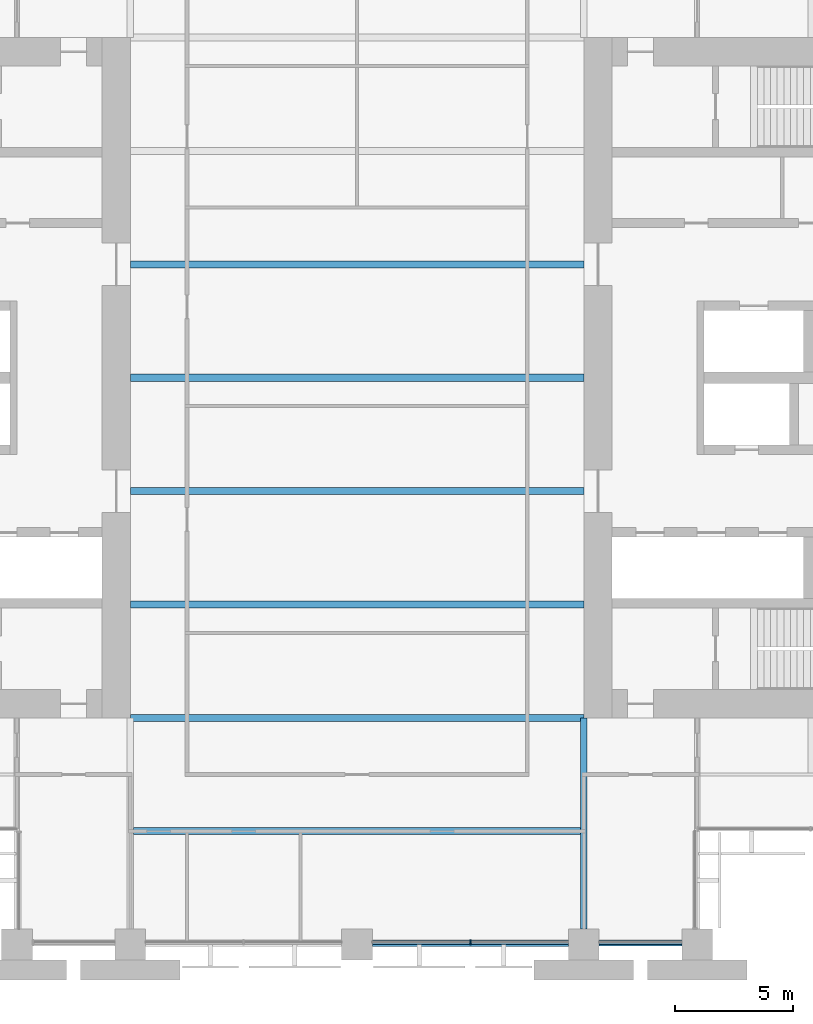
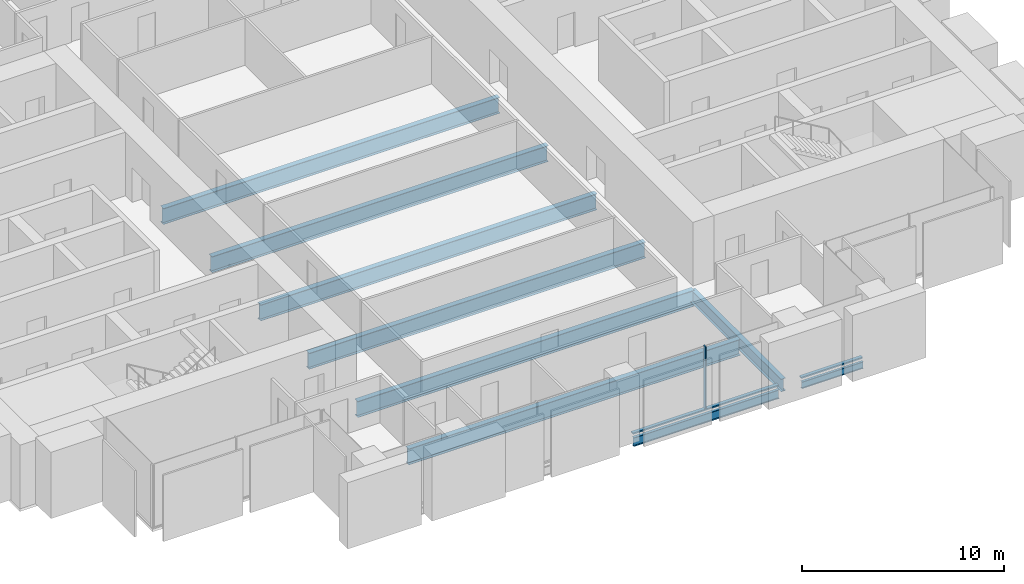
# One storey, part 3 of 14: 9 beams, 3 members, 1 element without a shape of its own.
"""IFC4 building model written with IfcOpenShell, lengths in metres."""

import ifcopenshell
import ifcopenshell.guid

model = None  # the IFC model being written
_history = None  # IfcOwnerHistory: only IFC2X3 demands one
_inside = {}  # id of a spatial element -> (the spatial element, [elements in it])
_under = {}  # id of a project, library or spatial element -> (it, [spatial elements below it])
_declared = {}  # id of a project -> (the project, [libraries it declares])
_typed = {}  # id of a type object -> (the type object, [elements of that type])
_made_of = {}  # id of a material, layer set ... -> (it, [elements and type objects made of it])


def new_model(schema):
    """Start an empty IFC model of exactly this schema.

    Asked for "IFC4X3", IfcOpenShell would pick the latest addendum, in which some entities
    have other attributes; the version numbers below select the first issue.
    IFC2X3 requires an IfcOwnerHistory on every rooted entity: one is made here for all.
    """
    global model, _history
    if schema == "IFC4X3":
        model = ifcopenshell.file(schema_version=(4, 3, 0, 0))
    else:
        model = ifcopenshell.file(schema=schema)
    _inside.clear()
    _under.clear()
    _declared.clear()
    _typed.clear()
    _made_of.clear()
    _history = None
    if model.schema == "IFC2X3":
        org = make("IfcOrganization", Name="unknown")
        user = make(
            "IfcPersonAndOrganization",
            ThePerson=make("IfcPerson", FamilyName="unknown"),
            TheOrganization=org,
        )
        app = make(
            "IfcApplication",
            ApplicationDeveloper=org,
            Version="unknown",
            ApplicationFullName="unknown",
            ApplicationIdentifier="unknown",
        )
        _history = make(
            "IfcOwnerHistory",
            OwningUser=user,
            OwningApplication=app,
            ChangeAction="ADDED",
            CreationDate=0,
        )
    return model


def make(cls, **values):
    """One entity of the class cls with the attributes given. An attribute that is None is left unset."""
    return model.create_entity(
        cls, **{name: value for name, value in values.items() if value is not None}
    )


def rooted(cls, **values):
    """An entity with a GlobalId (a new one), such as an element, a storey or a relation."""
    return make(cls, GlobalId=ifcopenshell.guid.new(), OwnerHistory=_history, **values)


def si_unit(unit_type, name, prefix=None):
    """IfcSIUnit, for example si_unit("LENGTHUNIT", "METRE", prefix="MILLI")."""
    return make("IfcSIUnit", UnitType=unit_type, Prefix=prefix, Name=name)


def assignment(units):
    """IfcUnitAssignment: the units of a project."""
    return None if units is None else make("IfcUnitAssignment", Units=units)


def point(xyz):
    """IfcCartesianPoint."""
    return None if xyz is None else make("IfcCartesianPoint", Coordinates=xyz)


def direction(xyz):
    """IfcDirection."""
    return None if xyz is None else make("IfcDirection", DirectionRatios=xyz)


def frame(location, z_axis=None, x_axis=None):
    """IfcAxis2Placement3D, a coordinate frame: its origin and axes. An axis left out is left unset."""
    return make(
        "IfcAxis2Placement3D",
        Location=point(location),
        Axis=direction(z_axis),
        RefDirection=direction(x_axis),
    )


def frame_2d(location, x_axis=None):
    """IfcAxis2Placement2D, a coordinate frame in the plane: its origin and x axis."""
    return make(
        "IfcAxis2Placement2D", Location=point(location), RefDirection=direction(x_axis)
    )


def origin():
    """The frame at (0, 0, 0) with its axes left unset."""
    return frame((0.0, 0.0, 0.0))


def origin_2d():
    """The frame at (0, 0) in the plane with its x axis left unset."""
    return frame_2d((0.0, 0.0))


def place(relative_to, where):
    """IfcLocalPlacement: puts the frame where relative to a parent placement (None: the world)."""
    return make(
        "IfcLocalPlacement", PlacementRelTo=relative_to, RelativePlacement=where
    )


def context(
    kind, dimensions, precision=None, world=None, true_north=None, identifier=None
):
    """IfcGeometricRepresentationContext, for example the 3D "Model" context."""
    return make(
        "IfcGeometricRepresentationContext",
        ContextIdentifier=identifier,
        ContextType=kind,
        CoordinateSpaceDimension=dimensions,
        Precision=precision,
        WorldCoordinateSystem=world,
        TrueNorth=true_north,
    )


def subcontext(parent, identifier, kind, view, scale=None):
    """IfcGeometricRepresentationSubContext, for example "Body" below "Model"."""
    return make(
        "IfcGeometricRepresentationSubContext",
        ContextIdentifier=identifier,
        ContextType=kind,
        ParentContext=parent,
        TargetScale=scale,
        TargetView=view,
    )


def project(units=None, contexts=None):
    """IfcProject with its units and contexts."""
    return rooted(
        "IfcProject",
        Name="project",
        RepresentationContexts=contexts,
        UnitsInContext=assignment(units),
    )


def spatial(cls, under=None, at=None, **own):
    """A site, building, storey or space (cls), placed at a placement, below another one or the project."""
    s = rooted(cls, ObjectPlacement=at, **own)
    if under is not None:
        _under.setdefault(under.id(), (under, []))[1].append(s)
    return s


def profile(cls, at=None, kind="AREA", **sizes):
    """A parametric profile (cls). Its sizes go by their IFC names, for example OverallWidth=200.0."""
    return make(cls, ProfileType=kind, Position=at, **sizes)


def rectangle(**sizes):
    """IfcRectangleProfileDef."""
    return profile("IfcRectangleProfileDef", **sizes)


def i_section(**sizes):
    """IfcIShapeProfileDef."""
    return profile("IfcIShapeProfileDef", **sizes)


def extrude(swept, where, along, depth):
    """IfcExtrudedAreaSolid: the profile swept, set in the frame where, extruded along a direction by depth."""
    return make(
        "IfcExtrudedAreaSolid",
        SweptArea=swept,
        Position=where,
        ExtrudedDirection=direction(along),
        Depth=depth,
    )


def shape(context_of_items, identifier, shape_type, items):
    """IfcShapeRepresentation: the items that make up one representation, for example the "Body"."""
    return make(
        "IfcShapeRepresentation",
        ContextOfItems=context_of_items,
        RepresentationIdentifier=identifier,
        RepresentationType=shape_type,
        Items=items,
    )


def material(Name=None, Category=None):
    """IfcMaterial."""
    return make("IfcMaterial", Name=Name, Category=Category)


def material_profile(
    of_material, cross_section, Name=None, Category=None, Priority=None
):
    """IfcMaterialProfile: a cross section and its material."""
    return make(
        "IfcMaterialProfile",
        Name=Name,
        Material=of_material,
        Profile=cross_section,
        Priority=Priority,
        Category=Category,
    )


def profile_set(profiles, Name=None, composite=None):
    """IfcMaterialProfileSet."""
    return make(
        "IfcMaterialProfileSet",
        Name=Name,
        MaterialProfiles=profiles,
        CompositeProfile=composite,
    )


def made_of(thing, what):
    """Note that an element or type object is made of a material, layer set ...; save() writes the relation."""
    if what is not None:
        _made_of.setdefault(what.id(), (what, []))[1].append(thing)
    return thing


def type_object(cls, material=None, **own):
    """A type object (cls), such as IfcWallType, which elements share."""
    return made_of(rooted(cls, **own), material)


def element(
    cls,
    number,
    at=None,
    inside=None,
    cuts=None,
    type_object=None,
    material=None,
    context=None,
    identifier="Body",
    shape_type=None,
    held_by="IfcProductDefinitionShape",
    body=None,
    shapes=None,
    **own,
):
    """One element of the class cls, such as IfcWall. Its Tag is "e" and its number.

    at: its placement. inside: the storey or other place that contains it. cuts: it is an
    opening in that element (IfcRelVoidsElement). A single representation is given by context,
    identifier, shape_type and body (its items); several are given by shapes. held_by: the class
    of the entity that holds the representations. save() writes the other relations.
    """
    e = rooted(cls, Tag="e%d" % number, ObjectPlacement=at, **own)
    if body is not None:
        shapes = [shape(context, identifier, shape_type, body)]
    if shapes is not None:
        e.Representation = make(held_by, Representations=shapes)
    if inside is not None:
        _inside.setdefault(inside.id(), (inside, []))[1].append(e)
    if cuts is not None:
        rooted(
            "IfcRelVoidsElement", RelatingBuildingElement=cuts, RelatedOpeningElement=e
        )
    if type_object is not None:
        _typed.setdefault(type_object.id(), (type_object, []))[1].append(e)
    return made_of(e, material)


def aggregate(whole, parts):
    """IfcRelAggregates: a whole, such as a stair, and the parts it consists of."""
    return rooted("IfcRelAggregates", RelatingObject=whole, RelatedObjects=parts)


def save(model, path):
    """Write the relations noted so far, then the file.

    IfcRelAggregates (storeys below a building ...), IfcRelContainedInSpatialStructure (elements
    in a storey), IfcRelDefinesByType, IfcRelAssociatesMaterial and IfcRelDeclares: one each for
    every whole, place, type object, material and project.
    """
    for whole, parts in _under.values():
        aggregate(whole, parts)
    for where, things in _inside.values():
        rooted(
            "IfcRelContainedInSpatialStructure",
            RelatedElements=things,
            RelatingStructure=where,
        )
    for kind, things in _typed.values():
        rooted("IfcRelDefinesByType", RelatedObjects=things, RelatingType=kind)
    for what, things in _made_of.values():
        rooted("IfcRelAssociatesMaterial", RelatedObjects=things, RelatingMaterial=what)
    for by, libraries in _declared.values():
        rooted("IfcRelDeclares", RelatingContext=by, RelatedDefinitions=libraries)
    model.write(path)


model = new_model("IFC4")

# Units and contexts
model_context = context("Model", 3, precision=1e-05, world=origin(), true_north=direction((0.0, 1.0)))
body_context = subcontext(model_context, "Body", "Model", "MODEL_VIEW")
ifc_project = project(units=[si_unit("LENGTHUNIT", "METRE"), si_unit("AREAUNIT", "SQUARE_METRE"), si_unit("VOLUMEUNIT", "CUBIC_METRE"), si_unit("PLANEANGLEUNIT", "RADIAN"), si_unit("MASSUNIT", "GRAM", prefix="KILO")], contexts=[model_context])

# Site, building, storey
site_placement = place(None, origin())
site = spatial("IfcSite", under=ifc_project, at=site_placement, CompositionType="ELEMENT")
building_placement = place(site_placement, origin())
building = spatial("IfcBuilding", under=site, at=building_placement, Name="Baori Bourse Tower", CompositionType="ELEMENT")
storey_placement = place(building_placement, frame((0.0, 0.0, 67.0)))
storey = spatial("IfcBuildingStorey", under=building, at=storey_placement, Name="L14", CompositionType="ELEMENT", Elevation=67.0)

# Curtain wall, members
ifc_material_1 = material(Name="Pale anodised aluminium", Category="aluminium")
curtain_wall_type = type_object("IfcCurtainWallType", Name="CW1 Curtain wall", PredefinedType="NOTDEFINED", material=ifc_material_1)
curtain_wall_placement = place(storey_placement, origin())
curtain_wall = element("IfcCurtainWall", 1, at=curtain_wall_placement, inside=storey, type_object=curtain_wall_type, Name="Curtain wall CW1 L14 11", PredefinedType="NOTDEFINED")
ifc_material_2 = material(Name="Pale anodised aluminium", Category="aluminium")
ifc_material_profile_1 = material_profile(ifc_material_2, rectangle(XDim=0.199951171875, YDim=0.06005859375, at=origin_2d()), Name="Mullion 60x200")
ifc_profile_set_1 = profile_set([ifc_material_profile_1], Name="Pale anodised aluminium")
member_type_1 = type_object("IfcMemberType", Name="CW1 Curtain wall mullion", PredefinedType="MULLION", material=ifc_profile_set_1)
member_1_placement = place(storey_placement, frame((33.60009765625, 0.10009765625, 0.080078125), z_axis=(0.0, 0.0, 1.0), x_axis=(0.0, 1.0, 0.0)))
member_1 = element("IfcMember", 2, at=member_1_placement, type_object=member_type_1, Name="Curtain wall CW1 mullion", PredefinedType="MULLION", context=body_context, shape_type="SweptSolid", body=[
    extrude(rectangle(XDim=0.199951171875, YDim=0.06005859375, at=origin_2d()), origin(), (0.0, 0.0, 1.0), 3.760009765625),
])
ifc_material_3 = material(Name="Pale anodised aluminium", Category="aluminium")
ifc_material_profile_2 = material_profile(ifc_material_3, rectangle(XDim=0.199951171875, YDim=0.080078125, at=origin_2d()), Name="Transom 80x200")
ifc_profile_set_2 = profile_set([ifc_material_profile_2], Name="Pale anodised aluminium")
member_type_2 = type_object("IfcMemberType", Name="CW1 Curtain wall transom", PredefinedType="USERDEFINED", material=ifc_profile_set_2)
member_2_placement = place(storey_placement, frame((29.449951171875, 0.10009765625, 0.0400390625), z_axis=(1.0, 0.0, 0.0), x_axis=(0.0, 1.0, 0.0)))
member_2 = element("IfcMember", 3, at=member_2_placement, type_object=member_type_2, Name="Curtain wall CW1 sill rail", ObjectType="TRANSOM", PredefinedType="USERDEFINED", context=body_context, shape_type="SweptSolid", body=[
    extrude(rectangle(XDim=0.199951171875, YDim=0.080078125, at=origin_2d()), origin(), (0.0, 0.0, 1.0), 8.300048828125),
])
member_3_placement = place(storey_placement, frame((39.050048828125, 0.10009765625, 0.0400390625), z_axis=(1.0, 0.0, 0.0), x_axis=(0.0, 1.0, 0.0)))
member_3 = element("IfcMember", 4, at=member_3_placement, type_object=member_type_2, Name="Curtain wall CW1 sill rail", ObjectType="TRANSOM", PredefinedType="USERDEFINED", context=body_context, shape_type="SweptSolid", body=[
    extrude(rectangle(XDim=0.199951171875, YDim=0.080078125, at=origin_2d()), origin(), (0.0, 0.0, 1.0), 3.5),
])
aggregate(curtain_wall, [member_2, member_1, member_3])

# Beams
ifc_material_4 = material(Name="Steel A992 Gr 50", Category="steel")
ifc_material_profile_3 = material_profile(ifc_material_4, i_section(OverallWidth=0.140380859375, OverallDepth=0.40380859375, WebThickness=0.007080078125, FlangeThickness=0.01123046875, at=origin_2d()), Name="W16x31")
ifc_profile_set_3 = profile_set([ifc_material_profile_3], Name="Steel A992 Gr 50")
beam_type_1 = type_object("IfcBeamType", Name="Edge beam W16x31", PredefinedType="BEAM", material=ifc_profile_set_3)
beam_1_placement = place(storey_placement, frame((39.050048828125, 0.0, -0.36181640625), z_axis=(1.0, 0.0, 0.0), x_axis=(0.0, 1.0, 0.0)))
element("IfcBeam", 5, at=beam_1_placement, inside=storey, type_object=beam_type_1, Name="Edge beam L14", PredefinedType="BEAM", context=body_context, shape_type="SweptSolid", body=[
    extrude(i_section(OverallWidth=0.140380859375, OverallDepth=0.40380859375, WebThickness=0.007080078125, FlangeThickness=0.01123046875, at=origin_2d()), origin(), (0.0, 0.0, 1.0), 3.5),
])
ifc_material_5 = material(Name="Steel A992 Gr 50", Category="steel")
ifc_material_profile_4 = material_profile(ifc_material_5, i_section(OverallWidth=0.1650390625, OverallDepth=0.52587890625, WebThickness=0.0087890625, FlangeThickness=0.011474609375, at=origin_2d()), Name="W21x44")
ifc_profile_set_4 = profile_set([ifc_material_profile_4], Name="Steel A992 Gr 50")
beam_type_2 = type_object("IfcBeamType", Name="Edge beam W21x44", PredefinedType="BEAM", material=ifc_profile_set_4)
beam_2_placement = place(storey_placement, frame((29.449951171875, 0.0, -0.4228515625), z_axis=(1.0, 0.0, 0.0), x_axis=(0.0, 1.0, 0.0)))
element("IfcBeam", 6, at=beam_2_placement, inside=storey, type_object=beam_type_2, Name="Edge beam L14", PredefinedType="BEAM", context=body_context, shape_type="SweptSolid", body=[
    extrude(i_section(OverallWidth=0.1650390625, OverallDepth=0.52587890625, WebThickness=0.0087890625, FlangeThickness=0.011474609375, at=origin_2d()), origin(), (0.0, 0.0, 1.0), 8.300048828125),
])
ifc_material_6 = material(Name="Steel A992 Gr 50", Category="steel")
ifc_material_profile_5 = material_profile(ifc_material_6, i_section(OverallWidth=0.2998046875, OverallDepth=0.97021484375, WebThickness=0.01611328125, FlangeThickness=0.02099609375, at=origin_2d()), Name="W40x149")
ifc_profile_set_5 = profile_set([ifc_material_profile_5], Name="Steel A992 Gr 50")
beam_type_3 = type_object("IfcBeamType", Name="Floor beam W40x149", PredefinedType="BEAM", material=ifc_profile_set_5)
beam_3_placement = place(storey_placement, frame((19.333251953125, 4.800048828125, -0.64501953125), z_axis=(1.0, 0.0, 0.0), x_axis=(0.0, 1.0, 0.0)))
element("IfcBeam", 7, at=beam_3_placement, inside=storey, type_object=beam_type_3, Name="Floor beam L14", PredefinedType="BEAM", context=body_context, shape_type="SweptSolid", body=[
    extrude(i_section(OverallWidth=0.2998046875, OverallDepth=0.97021484375, WebThickness=0.01611328125, FlangeThickness=0.02099609375, at=origin_2d()), origin(), (0.0, 0.0, 1.0), 18.933349609375),
])
for number, where, z_axis, x_axis, name in (
    (8, (19.199951171875, 9.60009765625, -0.64501953125), (1.0, 0.0, 0.0), (0.0, 1.0, 0.0), "Floor beam L14"),
    (9, (19.199951171875, 14.39990234375, -0.64501953125), (1.0, 0.0, 0.0), (0.0, 1.0, 0.0), "Floor beam L14"),
    (10, (19.199951171875, 19.199951171875, -0.64501953125), (1.0, 0.0, 0.0), (0.0, 1.0, 0.0), "Floor beam L14"),
    (11, (19.199951171875, 24.0, -0.64501953125), (1.0, 0.0, 0.0), (0.0, 1.0, 0.0), "Floor beam L14"),
    (12, (19.199951171875, 28.800048828125, -0.64501953125), (1.0, 0.0, 0.0), (0.0, 1.0, 0.0), "Floor beam L14"),
):
    element("IfcBeam", number, at=place(storey_placement, frame(where, z_axis=z_axis, x_axis=x_axis)), inside=storey, type_object=beam_type_3, Name=name, PredefinedType="BEAM", context=body_context, shape_type="SweptSolid", body=[
        extrude(i_section(OverallWidth=0.2998046875, OverallDepth=0.97021484375, WebThickness=0.01611328125, FlangeThickness=0.02099609375, at=origin_2d()), origin(), (0.0, 0.0, 1.0), 19.199951171875),
    ])
ifc_material_7 = material(Name="Steel A992 Gr 50", Category="steel")
ifc_material_profile_6 = material_profile(ifc_material_7, i_section(OverallWidth=0.2666015625, OverallDepth=0.7568359375, WebThickness=0.013916015625, FlangeThickness=0.019287109375, at=origin_2d()), Name="W30x108")
ifc_profile_set_6 = profile_set([ifc_material_profile_6], Name="Steel A992 Gr 50")
beam_type_4 = type_object("IfcBeamType", Name="Girder W30x108", PredefinedType="BEAM", material=ifc_profile_set_6)
beam_4_placement = place(storey_placement, frame((38.39990234375, 0.64990234375, -0.53857421875), z_axis=(0.0, 1.0, 0.0), x_axis=(-1.0, 0.0, 0.0)))
element("IfcBeam", 13, at=beam_4_placement, inside=storey, type_object=beam_type_4, Name="Girder L14", PredefinedType="BEAM", context=body_context, shape_type="SweptSolid", body=[
    extrude(i_section(OverallWidth=0.2666015625, OverallDepth=0.7568359375, WebThickness=0.013916015625, FlangeThickness=0.019287109375, at=origin_2d()), origin(), (0.0, 0.0, 1.0), 8.9501953125),
])

save(model, "model.ifc")
